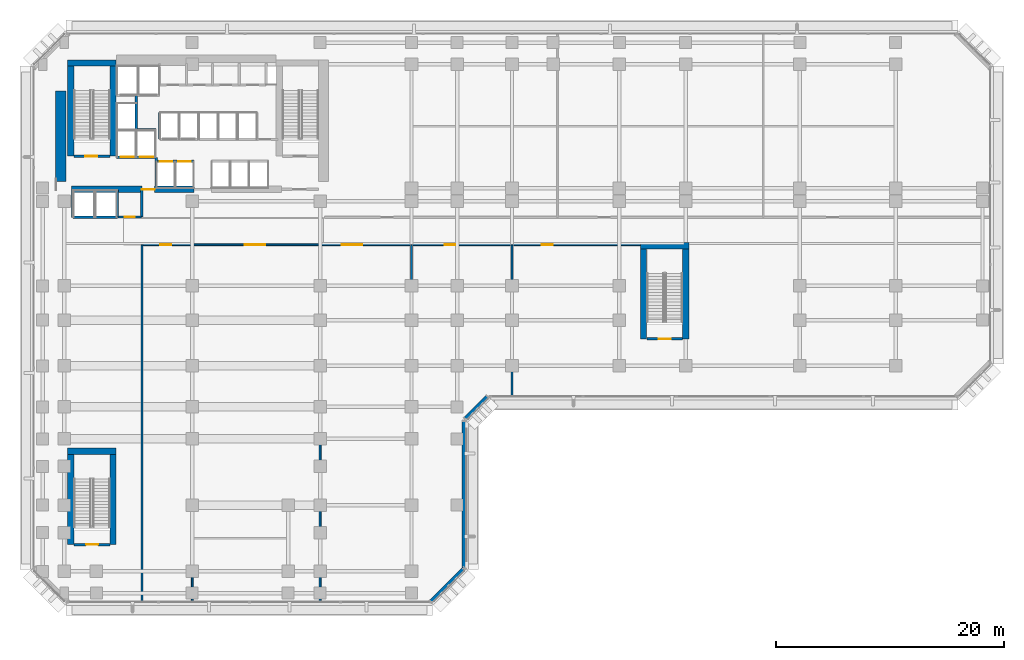
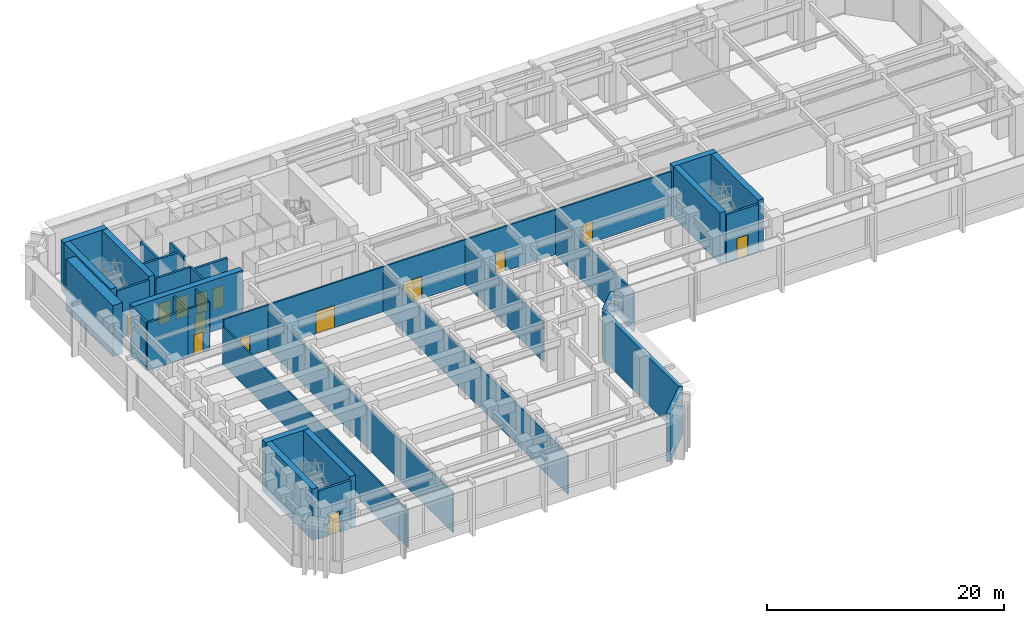
# One storey, part 9 of 20: 34 walls, 14 doors, 14 openings.
"""IFC4 building model written with IfcOpenShell, lengths in metres."""

from ifc_helpers import new_model, si_unit, direction, frame, frame_2d, origin, place, context, subcontext, project, spatial, rectangle, extrude, material, layer, layer_set, type_object, element, fill, save


model = new_model("IFC4")

# Units and contexts
model_context = context("Model", 3, precision=1e-05, world=origin(), true_north=direction((0.0, 1.0)))
body_context = subcontext(model_context, "Body", "Model", "MODEL_VIEW")
ifc_project = project(units=[si_unit("LENGTHUNIT", "METRE"), si_unit("AREAUNIT", "SQUARE_METRE"), si_unit("VOLUMEUNIT", "CUBIC_METRE"), si_unit("PLANEANGLEUNIT", "RADIAN"), si_unit("MASSUNIT", "GRAM", prefix="KILO")], contexts=[model_context])

# Site, building, storey
site_placement = place(None, origin())
site = spatial("IfcSite", under=ifc_project, at=site_placement, CompositionType="ELEMENT")
building_placement = place(site_placement, origin())
building = spatial("IfcBuilding", under=site, at=building_placement, Name="Kefirva Bronze Tower", CompositionType="ELEMENT")
storey_placement = place(building_placement, frame((0.0, 0.0, 5.93994140625)))
storey = spatial("IfcBuildingStorey", under=building, at=storey_placement, Name="L01", CompositionType="ELEMENT", Elevation=5.93994140625)

# Wall, opening, door
ifc_material_1 = material(Name="Gypsum fireboard shaftwall")
ifc_layer_1 = layer(ifc_material_1, 0.219970703125, Name="Gypsum fireboard shaftwall")
ifc_layer_set_1 = layer_set([ifc_layer_1], Name="Gypsum fireboard shaftwall")
wall_type_1 = type_object("IfcWallType", Name="Fire-Rated Shaft Enclosure Wall 220mm", PredefinedType="PARTITIONING", material=ifc_layer_set_1)
wall_1_placement = place(storey_placement, frame((1.64990234375, 37.14990234375, 0.0), z_axis=(0.0, 0.0, 1.0), x_axis=(1.0, 0.0, 0.0)))
wall_1 = element("IfcWall", 1, at=wall_1_placement, inside=storey, type_object=wall_type_1, Name="L01 Partition W-L01-ST1S", PredefinedType="PARTITIONING", context=body_context, shape_type="SweptSolid", body=[
    extrude(rectangle(XDim=3.150146484375, YDim=0.219970703125, at=frame_2d((1.5751953125, 0.0))), origin(), (0.0, 0.0, 1.0), 4.9599609375),
])
opening_1_placement = place(wall_1_placement, frame((2.050048828125, 0.0, 0.0), z_axis=(0.0, 0.0, 1.0), x_axis=(-1.0, 0.0, 0.0)))
opening_1 = element("IfcOpeningElement", 2, at=opening_1_placement, cuts=wall_1, Name="Opening L01-D001", PredefinedType="OPENING", context=body_context, shape_type="SweptSolid", body=[
    extrude(rectangle(XDim=1.050048828125, YDim=2.14990234375, at=frame_2d((0.52490234375, 1.074951171875))), frame((0.0, 0.1201171875, 0.0), z_axis=(0.0, -1.0, 0.0), x_axis=(1.0, 0.0, 0.0)), (0.0, 0.0, 1.0), 0.239990234375),
])
ifc_material_2 = material(Name="Painted galvanized steel", Category="steel")
door_type_1 = type_object("IfcDoorType", Name="Fire Stair Enclosure Door 1050x2150 FD90S", OperationType="NOTDEFINED", PredefinedType="DOOR", material=ifc_material_2)
door_1_placement = place(opening_1_placement, origin())
door_1 = element("IfcDoor", 3, at=door_1_placement, inside=storey, type_object=door_type_1, Name="Door L01-D001", OperationType="SINGLE_SWING_LEFT", OverallHeight=2.14990234375, OverallWidth=1.050048828125, PredefinedType="DOOR", context=body_context, shape_type="SweptSolid", body=[
    extrude(rectangle(XDim=1.050048828125, YDim=2.14990234375, at=frame_2d((0.52490234375, 1.074951171875))), frame((0.0, 0.02490234375, 0.0), z_axis=(0.0, -1.0, 0.0), x_axis=(1.0, 0.0, 0.0)), (0.0, 0.0, 1.0), 0.050048828125),
])
fill(opening_1, door_1)

# Wall, openings, doors
wall_2_placement = place(storey_placement, frame((5.3798828125, 37.080078125, 0.0), z_axis=(0.0, 0.0, 1.0), x_axis=(1.0, 0.0, 0.0)))
wall_2 = element("IfcWall", 4, at=wall_2_placement, inside=storey, type_object=wall_type_1, Name="L01 Partition W-L01-FFS", PredefinedType="PARTITIONING", context=body_context, shape_type="SweptSolid", body=[
    extrude(rectangle(XDim=3.460205078125, YDim=0.219970703125, at=frame_2d((1.72998046875, 0.0))), origin(), (0.0, 0.0, 1.0), 4.9599609375),
])
opening_2_placement = place(wall_2_placement, frame((1.550048828125, 0.0, 0.0), z_axis=(0.0, 0.0, 1.0), x_axis=(-1.0, 0.0, 0.0)))
opening_2 = element("IfcOpeningElement", 5, at=opening_2_placement, cuts=wall_2, Name="Opening L01-LD-FF1", PredefinedType="OPENING", context=body_context, shape_type="SweptSolid", body=[
    extrude(rectangle(XDim=1.199951171875, YDim=2.199951171875, at=frame_2d((0.60009765625, 1.10009765625))), frame((0.0, 0.1201171875, 0.0), z_axis=(0.0, -1.0, 0.0), x_axis=(1.0, 0.0, 0.0)), (0.0, 0.0, 1.0), 0.239990234375),
])
opening_3_placement = place(wall_2_placement, frame((3.219970703125, 0.0, 0.0), z_axis=(0.0, 0.0, 1.0), x_axis=(-1.0, 0.0, 0.0)))
opening_3 = element("IfcOpeningElement", 6, at=opening_3_placement, cuts=wall_2, Name="Opening L01-LD-FF2", PredefinedType="OPENING", context=body_context, shape_type="SweptSolid", body=[
    extrude(rectangle(XDim=1.199951171875, YDim=2.199951171875, at=frame_2d((0.60009765625, 1.10009765625))), frame((0.0, 0.1201171875, 0.0), z_axis=(0.0, -1.0, 0.0), x_axis=(1.0, 0.0, 0.0)), (0.0, 0.0, 1.0), 0.239990234375),
])
ifc_material_3 = material(Name="Stainless steel 316", Category="steel")
door_type_2 = type_object("IfcDoorType", Name="Firefighting Lift Sliding Door 1200x2200", OperationType="SLIDING_TO_RIGHT", PredefinedType="DOOR", material=ifc_material_3)
door_2_placement = place(opening_2_placement, origin())
door_2 = element("IfcDoor", 7, at=door_2_placement, inside=storey, type_object=door_type_2, Name="Door L01-LD-FF1", OperationType="SLIDING_TO_RIGHT", OverallHeight=2.199951171875, OverallWidth=1.199951171875, PredefinedType="DOOR", context=body_context, shape_type="SweptSolid", body=[
    extrude(rectangle(XDim=1.199951171875, YDim=2.199951171875, at=frame_2d((0.60009765625, 1.10009765625))), frame((0.0, 0.02490234375, 0.0), z_axis=(0.0, -1.0, 0.0), x_axis=(1.0, 0.0, 0.0)), (0.0, 0.0, 1.0), 0.050048828125),
])
fill(opening_2, door_2)
door_3_placement = place(opening_3_placement, origin())
door_3 = element("IfcDoor", 8, at=door_3_placement, inside=storey, type_object=door_type_2, Name="Door L01-LD-FF2", OperationType="SLIDING_TO_RIGHT", OverallHeight=2.199951171875, OverallWidth=1.199951171875, PredefinedType="DOOR", context=body_context, shape_type="SweptSolid", body=[
    extrude(rectangle(XDim=1.199951171875, YDim=2.199951171875, at=frame_2d((0.60009765625, 1.10009765625))), frame((0.0, 0.02490234375, 0.0), z_axis=(0.0, -1.0, 0.0), x_axis=(1.0, 0.0, 0.0)), (0.0, 0.0, 1.0), 0.050048828125),
])
fill(opening_3, door_3)

# Walls
wall_3_placement = place(storey_placement, frame((5.3798828125, 39.449951171875, 0.0), z_axis=(0.0, 0.0, 1.0), x_axis=(1.0, 0.0, 0.0)))
element("IfcWall", 9, at=wall_3_placement, inside=storey, type_object=wall_type_1, Name="L01 Partition W-L01-FFN", PredefinedType="PARTITIONING", context=body_context, shape_type="SweptSolid", body=[
    extrude(rectangle(XDim=3.460205078125, YDim=0.219970703125, at=frame_2d((1.72998046875, 0.0))), origin(), (0.0, 0.0, 1.0), 4.9599609375),
])
wall_4_placement = place(storey_placement, frame((7.10009765625, 39.52001953125, 0.0), z_axis=(0.0, 0.0, 1.0), x_axis=(0.0, 1.0, 0.0)))
element("IfcWall", 10, at=wall_4_placement, inside=storey, type_object=wall_type_1, Name="L01 Partition W-L01-HP3E", PredefinedType="PARTITIONING", context=body_context, shape_type="SweptSolid", body=[
    extrude(rectangle(XDim=2.929931640625, YDim=0.219970703125, at=frame_2d((1.46484375, 0.0))), origin(), (0.0, 0.0, 1.0), 4.9599609375),
])
wall_5_placement = place(storey_placement, frame((1.550048828125, 31.800048828125, 0.0), z_axis=(0.0, 0.0, 1.0), x_axis=(1.0, 0.0, 0.0)))
element("IfcWall", 11, at=wall_5_placement, inside=storey, type_object=wall_type_1, Name="L01 Partition W-L01-OBS", PredefinedType="PARTITIONING", context=body_context, shape_type="SweptSolid", body=[
    extrude(rectangle(XDim=3.89990234375, YDim=0.219970703125, at=frame_2d((1.949951171875, 0.0))), origin(), (0.0, 0.0, 1.0), 4.9599609375),
])
for number, where, z_axis, x_axis, name in (
    (12, (1.550048828125, 31.800048828125, 0.0), (0.0, 0.0, 1.0), (0.0, 1.0, 0.0), "L01 Partition W-L01-OBW"),
    (13, (5.449951171875, 31.800048828125, 0.0), (0.0, 0.0, 1.0), (0.0, 1.0, 0.0), "L01 Partition W-L01-OBE"),
):
    element("IfcWall", number, at=place(storey_placement, frame(where, z_axis=z_axis, x_axis=x_axis)), inside=storey, type_object=wall_type_1, Name=name, PredefinedType="PARTITIONING", context=body_context, shape_type="SweptSolid", body=[
        extrude(rectangle(XDim=2.3798828125, YDim=0.219970703125, at=frame_2d((1.18994140625, 0.0))), origin(), (0.0, 0.0, 1.0), 4.9599609375),
    ])
wall_6_placement = place(storey_placement, frame((9.159912109375, 38.64990234375, 0.0), z_axis=(0.0, 0.0, 1.0), x_axis=(0.0, 1.0, 0.0)))
element("IfcWall", 14, at=wall_6_placement, inside=storey, type_object=wall_type_1, Name="L01 Partition W-L01-LP3W", PredefinedType="PARTITIONING", context=body_context, shape_type="SweptSolid", body=[
    extrude(rectangle(XDim=2.35009765625, YDim=0.199951171875, at=frame_2d((1.175048828125, 0.0))), origin(), (0.0, 0.0, 1.0), 4.9599609375),
])

# Wall, openings, doors
wall_7_placement = place(storey_placement, frame((8.89990234375, 36.699951171875, 0.0), z_axis=(0.0, 0.0, 1.0), x_axis=(1.0, 0.0, 0.0)))
wall_7 = element("IfcWall", 15, at=wall_7_placement, inside=storey, type_object=wall_type_1, Name="L01 Partition W-L01-LPS", PredefinedType="PARTITIONING", context=body_context, shape_type="SweptSolid", body=[
    extrude(rectangle(XDim=3.260009765625, YDim=0.219970703125, at=frame_2d((1.6298828125, 0.0))), origin(), (0.0, 0.0, 1.0), 4.9599609375),
])
opening_4_placement = place(wall_7_placement, frame((0.260009765625, 0.0, 0.0)))
opening_4 = element("IfcOpeningElement", 16, at=opening_4_placement, cuts=wall_7, Name="Opening L01-LD-LP1", PredefinedType="OPENING", context=body_context, shape_type="SweptSolid", body=[
    extrude(rectangle(XDim=1.10009765625, YDim=2.199951171875, at=frame_2d((0.550048828125, 1.10009765625))), frame((0.0, 0.1201171875, 0.0), z_axis=(0.0, -1.0, 0.0), x_axis=(1.0, 0.0, 0.0)), (0.0, 0.0, 1.0), 0.239990234375),
])
opening_5_placement = place(wall_7_placement, frame((1.8798828125, 0.0, 0.0)))
opening_5 = element("IfcOpeningElement", 17, at=opening_5_placement, cuts=wall_7, Name="Opening L01-LD-LP2", PredefinedType="OPENING", context=body_context, shape_type="SweptSolid", body=[
    extrude(rectangle(XDim=1.10009765625, YDim=2.199951171875, at=frame_2d((0.550048828125, 1.10009765625))), frame((0.0, 0.1201171875, 0.0), z_axis=(0.0, -1.0, 0.0), x_axis=(1.0, 0.0, 0.0)), (0.0, 0.0, 1.0), 0.239990234375),
])
door_type_3 = type_object("IfcDoorType", Name="Passenger Lift Sliding Landing Door 1100x2200", OperationType="SLIDING_TO_LEFT", PredefinedType="DOOR", material=ifc_material_3)
door_4_placement = place(opening_4_placement, origin())
door_4 = element("IfcDoor", 18, at=door_4_placement, inside=storey, type_object=door_type_3, Name="Door L01-LD-LP1", OperationType="SLIDING_TO_LEFT", OverallHeight=2.199951171875, OverallWidth=1.10009765625, PredefinedType="DOOR", context=body_context, shape_type="SweptSolid", body=[
    extrude(rectangle(XDim=1.10009765625, YDim=2.199951171875, at=frame_2d((0.550048828125, 1.10009765625))), frame((0.0, 0.02490234375, 0.0), z_axis=(0.0, -1.0, 0.0), x_axis=(1.0, 0.0, 0.0)), (0.0, 0.0, 1.0), 0.050048828125),
])
fill(opening_4, door_4)
door_5_placement = place(opening_5_placement, origin())
door_5 = element("IfcDoor", 19, at=door_5_placement, inside=storey, type_object=door_type_3, Name="Door L01-LD-LP2", OperationType="SLIDING_TO_LEFT", OverallHeight=2.199951171875, OverallWidth=1.10009765625, PredefinedType="DOOR", context=body_context, shape_type="SweptSolid", body=[
    extrude(rectangle(XDim=1.10009765625, YDim=2.199951171875, at=frame_2d((0.550048828125, 1.10009765625))), frame((0.0, 0.02490234375, 0.0), z_axis=(0.0, -1.0, 0.0), x_axis=(1.0, 0.0, 0.0)), (0.0, 0.0, 1.0), 0.050048828125),
])
fill(opening_5, door_5)

# Wall, opening, door
wall_8_placement = place(storey_placement, frame((1.64990234375, 3.14990234375, 0.0), z_axis=(0.0, 0.0, 1.0), x_axis=(1.0, 0.0, 0.0)))
wall_8 = element("IfcWall", 20, at=wall_8_placement, inside=storey, type_object=wall_type_1, Name="L01 Partition W-L01-ST3S", PredefinedType="PARTITIONING", context=body_context, shape_type="SweptSolid", body=[
    extrude(rectangle(XDim=3.150146484375, YDim=0.219970703125, at=frame_2d((1.5751953125, 0.0))), origin(), (0.0, 0.0, 1.0), 4.9599609375),
])
opening_6_placement = place(wall_8_placement, frame((2.10009765625, 0.0, 0.0), z_axis=(0.0, 0.0, 1.0), x_axis=(-1.0, 0.0, 0.0)))
opening_6 = element("IfcOpeningElement", 21, at=opening_6_placement, cuts=wall_8, Name="Opening L01-D-ST3", PredefinedType="OPENING", context=body_context, shape_type="SweptSolid", body=[
    extrude(rectangle(XDim=1.050048828125, YDim=2.14990234375, at=frame_2d((0.52490234375, 1.074951171875))), frame((0.0, 0.1201171875, 0.0), z_axis=(0.0, -1.0, 0.0), x_axis=(1.0, 0.0, 0.0)), (0.0, 0.0, 1.0), 0.239990234375),
])
door_6_placement = place(opening_6_placement, origin())
door_6 = element("IfcDoor", 22, at=door_6_placement, inside=storey, type_object=door_type_1, Name="Door L01-D-ST3", OperationType="SINGLE_SWING_LEFT", OverallHeight=2.14990234375, OverallWidth=1.050048828125, PredefinedType="DOOR", context=body_context, shape_type="SweptSolid", body=[
    extrude(rectangle(XDim=1.050048828125, YDim=2.14990234375, at=frame_2d((0.52490234375, 1.074951171875))), frame((0.0, 0.02490234375, 0.0), z_axis=(0.0, -1.0, 0.0), x_axis=(1.0, 0.0, 0.0)), (0.0, 0.0, 1.0), 0.050048828125),
])
fill(opening_6, door_6)

wall_9_placement = place(storey_placement, frame((51.800048828125, 21.14990234375, 0.0), z_axis=(0.0, 0.0, 1.0), x_axis=(1.0, 0.0, 0.0)))
wall_9 = element("IfcWall", 23, at=wall_9_placement, inside=storey, type_object=wall_type_1, Name="L01 Partition W-L01-ST4S", PredefinedType="PARTITIONING", context=body_context, shape_type="SweptSolid", body=[
    extrude(rectangle(XDim=3.14990234375, YDim=0.219970703125, at=frame_2d((1.574951171875, 0.0))), origin(), (0.0, 0.0, 1.0), 4.9599609375),
])
opening_7_placement = place(wall_9_placement, frame((2.10009765625, 0.0, 0.0), z_axis=(0.0, 0.0, 1.0), x_axis=(-1.0, 0.0, 0.0)))
opening_7 = element("IfcOpeningElement", 24, at=opening_7_placement, cuts=wall_9, Name="Opening L01-D-ST4", PredefinedType="OPENING", context=body_context, shape_type="SweptSolid", body=[
    extrude(rectangle(XDim=1.050048828125, YDim=2.14990234375, at=frame_2d((0.52490234375, 1.074951171875))), frame((0.0, 0.1201171875, 0.0), z_axis=(0.0, -1.0, 0.0), x_axis=(1.0, 0.0, 0.0)), (0.0, 0.0, 1.0), 0.239990234375),
])
door_7_placement = place(opening_7_placement, origin())
door_7 = element("IfcDoor", 25, at=door_7_placement, inside=storey, type_object=door_type_1, Name="Door L01-D-ST4", OperationType="SINGLE_SWING_RIGHT", OverallHeight=2.14990234375, OverallWidth=1.050048828125, PredefinedType="DOOR", context=body_context, shape_type="SweptSolid", body=[
    extrude(rectangle(XDim=1.050048828125, YDim=2.14990234375, at=frame_2d((0.52490234375, 1.074951171875))), frame((0.0, 0.02490234375, 0.0), z_axis=(0.0, -1.0, 0.0), x_axis=(1.0, 0.0, 0.0)), (0.0, 0.0, 1.0), 0.050048828125),
])
fill(opening_7, door_7)

# Walls
ifc_material_4 = material(Name="Gypsum fireboard barrier")
ifc_layer_2 = layer(ifc_material_4, 0.199951171875, Name="Gypsum fireboard barrier")
ifc_layer_set_2 = layer_set([ifc_layer_2], Name="Gypsum fireboard barrier")
wall_type_2 = type_object("IfcWallType", Name="Firefighting Lobby Barrier Wall 200mm", PredefinedType="PARTITIONING", material=ifc_layer_set_2)
wall_10_placement = place(storey_placement, frame((8.860107421875, 34.550048828125, 0.0), z_axis=(0.0, 0.0, 1.0), x_axis=(0.0, 1.0, 0.0)))
element("IfcWall", 26, at=wall_10_placement, inside=storey, type_object=wall_type_2, Name="L01 Partition W-L01-FFLE", PredefinedType="PARTITIONING", context=body_context, shape_type="SweptSolid", body=[
    extrude(rectangle(XDim=2.5, YDim=0.199951171875, at=frame_2d((1.25, 0.0))), origin(), (0.0, 0.0, 1.0), 4.9599609375),
])
ifc_material_5 = material(Name="Precast concrete C40/50", Category="concrete")
ifc_layer_3 = layer(ifc_material_5, 0.360107421875, Name="Precast concrete C40/50")
ifc_layer_set_3 = layer_set([ifc_layer_3], Name="Precast concrete C40/50")
wall_type_3 = type_object("IfcWallType", Name="Precast Podium Facade Wall 360mm", PredefinedType="SOLIDWALL", material=ifc_layer_set_3)
wall_11_placement = place(storey_placement, frame((32.91162109375, -1.833740234375, 0.0), z_axis=(0.0, 0.0, 1.0), x_axis=(0.707106781187, 0.707106781187, 0.0)))
element("IfcWall", 27, at=wall_11_placement, inside=storey, type_object=wall_type_3, Name="L01 Exterior Facade Wall 1", PredefinedType="SOLIDWALL", context=body_context, shape_type="SweptSolid", body=[
    extrude(rectangle(XDim=4.132568359375, YDim=0.360107421875, at=frame_2d((2.06640625, 0.0))), origin(), (0.0, 0.0, 1.0), 4.9599609375),
])
wall_12_placement = place(storey_placement, frame((35.820068359375, 1.054931640625, 0.0), z_axis=(0.0, 0.0, 1.0), x_axis=(0.0, 1.0, 0.0)))
element("IfcWall", 28, at=wall_12_placement, inside=storey, type_object=wall_type_3, Name="L01 Exterior Facade Wall 2", PredefinedType="SOLIDWALL", context=body_context, shape_type="SweptSolid", body=[
    extrude(rectangle(XDim=12.89013671875, YDim=0.360107421875, at=frame_2d((6.445068359375, 0.0))), origin(), (0.0, 0.0, 1.0), 4.9599609375),
])
wall_13_placement = place(storey_placement, frame((35.91162109375, 14.166259765625, 0.0), z_axis=(0.0, 0.0, 1.0), x_axis=(0.707106781187, 0.707106781187, 0.0)))
element("IfcWall", 29, at=wall_13_placement, inside=storey, type_object=wall_type_3, Name="L01 Exterior Facade Wall 3", PredefinedType="SOLIDWALL", context=body_context, shape_type="SweptSolid", body=[
    extrude(rectangle(XDim=2.71826171875, YDim=0.360107421875, at=frame_2d((1.359130859375, 0.0))), origin(), (0.0, 0.0, 1.0), 4.9599609375),
])
ifc_material_6 = material(Name="Gypsum acoustic partition")
ifc_layer_4 = layer(ifc_material_6, 0.159912109375, Name="Gypsum acoustic partition")
ifc_layer_set_4 = layer_set([ifc_layer_4], Name="Gypsum acoustic partition")
wall_type_4 = type_object("IfcWallType", Name="Protected Corridor Partition 160mm", PredefinedType="PARTITIONING", material=ifc_layer_set_4)
wall_14_placement = place(storey_placement, frame((7.60009765625, -1.81005859375, 0.0), z_axis=(0.0, 0.0, 1.0), x_axis=(0.0, 1.0, 0.0)))
element("IfcWall", 30, at=wall_14_placement, inside=storey, type_object=wall_type_4, Name="L01 Partition W-L01-SWCE", PredefinedType="PARTITIONING", context=body_context, shape_type="SweptSolid", body=[
    extrude(rectangle(XDim=31.2099609375, YDim=0.159912109375, at=frame_2d((15.60498046875, 0.0))), origin(), (0.0, 0.0, 1.0), 3.89501953125),
])

# Wall, openings, doors
wall_15_placement = place(storey_placement, frame((7.60009765625, 29.39990234375, 0.0), z_axis=(0.0, 0.0, 1.0), x_axis=(1.0, 0.0, 0.0)))
wall_15 = element("IfcWall", 31, at=wall_15_placement, inside=storey, type_object=wall_type_4, Name="L01 Partition W-L01-S", PredefinedType="PARTITIONING", context=body_context, shape_type="SweptSolid", body=[
    extrude(rectangle(XDim=43.75, YDim=0.159912109375, at=frame_2d((21.875, 0.0))), origin(), (0.0, 0.0, 1.0), 4.614990234375),
])
opening_8_placement = place(wall_15_placement, frame((17.5, 0.0, 0.0)))
opening_8 = element("IfcOpeningElement", 32, at=opening_8_placement, cuts=wall_15, Name="Opening L01-D-01", PredefinedType="OPENING", context=body_context, shape_type="SweptSolid", body=[
    extrude(rectangle(XDim=1.800048828125, YDim=2.300048828125, at=frame_2d((0.89990234375, 1.14990234375))), frame((0.0, 0.08984375, 0.0), z_axis=(0.0, -1.0, 0.0), x_axis=(1.0, 0.0, 0.0)), (0.0, 0.0, 1.0), 0.179931640625),
])
opening_9_placement = place(wall_15_placement, frame((1.60009765625, 0.0, 0.0)))
opening_9 = element("IfcOpeningElement", 33, at=opening_9_placement, cuts=wall_15, Name="Opening L01-D-01W", PredefinedType="OPENING", context=body_context, shape_type="SweptSolid", body=[
    extrude(rectangle(XDim=0.949951171875, YDim=2.14990234375, at=frame_2d((0.47509765625, 1.074951171875))), frame((0.0, 0.08984375, 0.0), z_axis=(0.0, -1.0, 0.0), x_axis=(1.0, 0.0, 0.0)), (0.0, 0.0, 1.0), 0.179931640625),
])
opening_10_placement = place(wall_15_placement, frame((9.0, 0.0, 0.0)))
opening_10 = element("IfcOpeningElement", 34, at=opening_10_placement, cuts=wall_15, Name="Opening L01-D-01P", PredefinedType="OPENING", context=body_context, shape_type="SweptSolid", body=[
    extrude(rectangle(XDim=1.800048828125, YDim=2.300048828125, at=frame_2d((0.89990234375, 1.14990234375))), frame((0.0, 0.08984375, 0.0), z_axis=(0.0, -1.0, 0.0), x_axis=(1.0, 0.0, 0.0)), (0.0, 0.0, 1.0), 0.179931640625),
])
opening_11_placement = place(wall_15_placement, frame((26.5, 0.0, 0.0)))
opening_11 = element("IfcOpeningElement", 35, at=opening_11_placement, cuts=wall_15, Name="Opening L01-D-02", PredefinedType="OPENING", context=body_context, shape_type="SweptSolid", body=[
    extrude(rectangle(XDim=0.949951171875, YDim=2.14990234375, at=frame_2d((0.47509765625, 1.074951171875))), frame((0.0, 0.08984375, 0.0), z_axis=(0.0, -1.0, 0.0), x_axis=(1.0, 0.0, 0.0)), (0.0, 0.0, 1.0), 0.179931640625),
])
opening_12_placement = place(wall_15_placement, frame((35.0, 0.0, 0.0)))
opening_12 = element("IfcOpeningElement", 36, at=opening_12_placement, cuts=wall_15, Name="Opening L01-D-03", PredefinedType="OPENING", context=body_context, shape_type="SweptSolid", body=[
    extrude(rectangle(XDim=0.949951171875, YDim=2.14990234375, at=frame_2d((0.47509765625, 1.074951171875))), frame((0.0, 0.08984375, 0.0), z_axis=(0.0, -1.0, 0.0), x_axis=(1.0, 0.0, 0.0)), (0.0, 0.0, 1.0), 0.179931640625),
])
ifc_material_7 = material(Name="Acoustic hardwood oak", Category="wood")
door_type_4 = type_object("IfcDoorType", Name="Auditorium & Dining Double Door 1800x2300", OperationType="DOUBLE_DOOR_SINGLE_SWING", PredefinedType="DOOR", material=ifc_material_7)
door_8_placement = place(opening_8_placement, origin())
door_8 = element("IfcDoor", 37, at=door_8_placement, inside=storey, type_object=door_type_4, Name="Door L01-D-01", OperationType="SINGLE_SWING_LEFT", OverallHeight=2.300048828125, OverallWidth=1.800048828125, PredefinedType="DOOR", context=body_context, shape_type="SweptSolid", body=[
    extrude(rectangle(XDim=1.800048828125, YDim=2.300048828125, at=frame_2d((0.89990234375, 1.14990234375))), frame((0.0, 0.02490234375, 0.0), z_axis=(0.0, -1.0, 0.0), x_axis=(1.0, 0.0, 0.0)), (0.0, 0.0, 1.0), 0.050048828125),
])
fill(opening_8, door_8)
door_9_placement = place(opening_10_placement, origin())
door_9 = element("IfcDoor", 38, at=door_9_placement, inside=storey, type_object=door_type_4, Name="Door L01-D-01P", OperationType="SINGLE_SWING_LEFT", OverallHeight=2.300048828125, OverallWidth=1.800048828125, PredefinedType="DOOR", context=body_context, shape_type="SweptSolid", body=[
    extrude(rectangle(XDim=1.800048828125, YDim=2.300048828125, at=frame_2d((0.89990234375, 1.14990234375))), frame((0.0, 0.02490234375, 0.0), z_axis=(0.0, -1.0, 0.0), x_axis=(1.0, 0.0, 0.0)), (0.0, 0.0, 1.0), 0.050048828125),
])
fill(opening_10, door_9)
door_type_5 = type_object("IfcDoorType", Name="Office & Meeting Room Door 950x2150", OperationType="NOTDEFINED", PredefinedType="DOOR", material=ifc_material_7)
door_10_placement = place(opening_9_placement, origin())
door_10 = element("IfcDoor", 39, at=door_10_placement, inside=storey, type_object=door_type_5, Name="Door L01-D-01W", OperationType="SINGLE_SWING_RIGHT", OverallHeight=2.14990234375, OverallWidth=0.949951171875, PredefinedType="DOOR", context=body_context, shape_type="SweptSolid", body=[
    extrude(rectangle(XDim=0.949951171875, YDim=2.14990234375, at=frame_2d((0.47509765625, 1.074951171875))), frame((0.0, 0.02490234375, 0.0), z_axis=(0.0, -1.0, 0.0), x_axis=(1.0, 0.0, 0.0)), (0.0, 0.0, 1.0), 0.050048828125),
])
fill(opening_9, door_10)
door_11_placement = place(opening_11_placement, origin())
door_11 = element("IfcDoor", 40, at=door_11_placement, inside=storey, type_object=door_type_5, Name="Door L01-D-02", OperationType="SINGLE_SWING_RIGHT", OverallHeight=2.14990234375, OverallWidth=0.949951171875, PredefinedType="DOOR", context=body_context, shape_type="SweptSolid", body=[
    extrude(rectangle(XDim=0.949951171875, YDim=2.14990234375, at=frame_2d((0.47509765625, 1.074951171875))), frame((0.0, 0.02490234375, 0.0), z_axis=(0.0, -1.0, 0.0), x_axis=(1.0, 0.0, 0.0)), (0.0, 0.0, 1.0), 0.050048828125),
])
fill(opening_11, door_11)
door_12_placement = place(opening_12_placement, origin())
door_12 = element("IfcDoor", 41, at=door_12_placement, inside=storey, type_object=door_type_5, Name="Door L01-D-03", OperationType="SINGLE_SWING_LEFT", OverallHeight=2.14990234375, OverallWidth=0.949951171875, PredefinedType="DOOR", context=body_context, shape_type="SweptSolid", body=[
    extrude(rectangle(XDim=0.949951171875, YDim=2.14990234375, at=frame_2d((0.47509765625, 1.074951171875))), frame((0.0, 0.02490234375, 0.0), z_axis=(0.0, -1.0, 0.0), x_axis=(1.0, 0.0, 0.0)), (0.0, 0.0, 1.0), 0.050048828125),
])
fill(opening_12, door_12)

# Walls
for number, where, z_axis, x_axis, name in (
    (42, (12.0, -1.81005859375, 0.0), (0.0, 0.0, 1.0), (0.0, 1.0, 0.0), "L01 Partition W-L01-DV0"),
    (43, (23.199951171875, -1.81005859375, 0.0), (0.0, 0.0, 1.0), (0.0, 1.0, 0.0), "L01 Partition W-L01-DV1"),
):
    element("IfcWall", number, at=place(storey_placement, frame(where, z_axis=z_axis, x_axis=x_axis)), inside=storey, type_object=wall_type_4, Name=name, PredefinedType="PARTITIONING", context=body_context, shape_type="SweptSolid", body=[
        extrude(rectangle(XDim=31.2099609375, YDim=0.159912109375, at=frame_2d((15.60498046875, 0.0))), origin(), (0.0, 0.0, 1.0), 4.14501953125),
    ])
for number, where, z_axis, x_axis, name in (
    (44, (31.199951171875, 16.18994140625, 0.0), (0.0, 0.0, 1.0), (0.0, 1.0, 0.0), "L01 Partition W-L01-DV2"),
    (45, (40.0, 16.18994140625, 0.0), (0.0, 0.0, 1.0), (0.0, 1.0, 0.0), "L01 Partition W-L01-DV3"),
):
    element("IfcWall", number, at=place(storey_placement, frame(where, z_axis=z_axis, x_axis=x_axis)), inside=storey, type_object=wall_type_4, Name=name, PredefinedType="PARTITIONING", context=body_context, shape_type="SweptSolid", body=[
        extrude(rectangle(XDim=13.2099609375, YDim=0.159912109375, at=frame_2d((6.60498046875, 0.0))), origin(), (0.0, 0.0, 1.0), 4.14501953125),
    ])
ifc_material_8 = material(Name="Concrete C50/60", Category="concrete")
ifc_layer_5 = layer(ifc_material_8, 0.550048828125, Name="Concrete C50/60")
ifc_layer_set_5 = layer_set([ifc_layer_5], Name="Concrete C50/60")
wall_type_5 = type_object("IfcWallType", Name="RC Rear Core Interior Wall 550mm", PredefinedType="SHEAR", material=ifc_layer_set_5)
for number, where, z_axis, x_axis, name in (
    (46, (1.3701171875, 37.14990234375, 0.0), (0.0, 0.0, 1.0), (0.0, 1.0, 0.0), "L01 Stair 1 West Shear Wall"),
    (47, (5.070068359375, 37.14990234375, 0.0), (0.0, 0.0, 1.0), (0.0, 1.0, 0.0), "L01 Stair 1 East Shear Wall"),
):
    element("IfcWall", number, at=place(storey_placement, frame(where, z_axis=z_axis, x_axis=x_axis)), inside=storey, type_object=wall_type_5, Name=name, PredefinedType="SHEAR", context=body_context, shape_type="SweptSolid", body=[
        extrude(rectangle(XDim=7.89013671875, YDim=0.550048828125, at=frame_2d((3.945068359375, 0.0))), origin(), (0.0, 0.0, 1.0), 5.280029296875),
    ])
wall_16_placement = place(storey_placement, frame((1.10009765625, 45.320068359375, 0.0), z_axis=(0.0, 0.0, 1.0), x_axis=(1.0, 0.0, 0.0)))
element("IfcWall", 48, at=wall_16_placement, inside=storey, type_object=wall_type_5, Name="L01 Stair 1 North Shear Wall", PredefinedType="SHEAR", context=body_context, shape_type="SweptSolid", body=[
    extrude(rectangle(XDim=4.239990234375, YDim=0.550048828125, at=frame_2d((2.1201171875, 0.0))), origin(), (0.0, 0.0, 1.0), 5.280029296875),
])
for number, where, z_axis, x_axis, name in (
    (49, (1.3701171875, 3.14990234375, 0.0), (0.0, 0.0, 1.0), (0.0, 1.0, 0.0), "L01 Stair 3 West Shear Wall"),
    (50, (5.070068359375, 3.14990234375, 0.0), (0.0, 0.0, 1.0), (0.0, 1.0, 0.0), "L01 Stair 3 East Shear Wall"),
):
    element("IfcWall", number, at=place(storey_placement, frame(where, z_axis=z_axis, x_axis=x_axis)), inside=storey, type_object=wall_type_5, Name=name, PredefinedType="SHEAR", context=body_context, shape_type="SweptSolid", body=[
        extrude(rectangle(XDim=7.89013671875, YDim=0.550048828125, at=frame_2d((3.945068359375, 0.0))), origin(), (0.0, 0.0, 1.0), 5.280029296875),
    ])
wall_17_placement = place(storey_placement, frame((1.10009765625, 11.320068359375, 0.0), z_axis=(0.0, 0.0, 1.0), x_axis=(1.0, 0.0, 0.0)))
element("IfcWall", 51, at=wall_17_placement, inside=storey, type_object=wall_type_5, Name="L01 Stair 3 North Shear Wall", PredefinedType="SHEAR", context=body_context, shape_type="SweptSolid", body=[
    extrude(rectangle(XDim=4.239990234375, YDim=0.550048828125, at=frame_2d((2.1201171875, 0.0))), origin(), (0.0, 0.0, 1.0), 5.280029296875),
])
for number, where, z_axis, x_axis, name in (
    (52, (51.52001953125, 21.14990234375, 0.0), (0.0, 0.0, 1.0), (0.0, 1.0, 0.0), "L01 Stair 4 West Shear Wall"),
    (53, (55.219970703125, 21.14990234375, 0.0), (0.0, 0.0, 1.0), (0.0, 1.0, 0.0), "L01 Stair 4 East Shear Wall"),
):
    element("IfcWall", number, at=place(storey_placement, frame(where, z_axis=z_axis, x_axis=x_axis)), inside=storey, type_object=wall_type_5, Name=name, PredefinedType="SHEAR", context=body_context, shape_type="SweptSolid", body=[
        extrude(rectangle(XDim=7.89013671875, YDim=0.550048828125, at=frame_2d((3.945068359375, 0.0))), origin(), (0.0, 0.0, 1.0), 5.280029296875),
    ])
wall_18_placement = place(storey_placement, frame((51.25, 29.320068359375, 0.0), z_axis=(0.0, 0.0, 1.0), x_axis=(1.0, 0.0, 0.0)))
element("IfcWall", 54, at=wall_18_placement, inside=storey, type_object=wall_type_5, Name="L01 Stair 4 North Shear Wall", PredefinedType="SHEAR", context=body_context, shape_type="SweptSolid", body=[
    extrude(rectangle(XDim=4.239990234375, YDim=0.550048828125, at=frame_2d((2.1201171875, 0.0))), origin(), (0.0, 0.0, 1.0), 5.280029296875),
])
ifc_material_9 = material(Name="Concrete C60/75", Category="concrete")
ifc_layer_6 = layer(ifc_material_9, 0.89990234375, Name="Concrete C60/75")
ifc_layer_set_6 = layer_set([ifc_layer_6], Name="Concrete C60/75")
wall_type_6 = type_object("IfcWallType", Name="RC Rear Core Interior Wall 900mm", PredefinedType="SHEAR", material=ifc_layer_set_6)
wall_19_placement = place(storey_placement, frame((0.5, 34.949951171875, 0.0), z_axis=(0.0, 0.0, 1.0), x_axis=(0.0, 1.0, 0.0)))
element("IfcWall", 55, at=wall_19_placement, inside=storey, type_object=wall_type_6, Name="L01 Rear Core West Shear Wall", PredefinedType="SHEAR", context=body_context, shape_type="SweptSolid", body=[
    extrude(rectangle(XDim=7.900146484375, YDim=0.89990234375, at=frame_2d((3.9501953125, 0.0))), origin(), (0.0, 0.0, 1.0), 5.280029296875),
])

# Wall, opening, door
wall_20_placement = place(storey_placement, frame((1.449951171875, 34.25, 0.0), z_axis=(0.0, 0.0, 1.0), x_axis=(1.0, 0.0, 0.0)))
wall_20 = element("IfcWall", 56, at=wall_20_placement, inside=storey, type_object=wall_type_6, Name="L01 Rear Core South-West Shear Wall", PredefinedType="SHEAR", context=body_context, shape_type="SweptSolid", body=[
    extrude(rectangle(XDim=10.7099609375, YDim=0.550048828125, at=frame_2d((5.35498046875, 0.0))), origin(), (0.0, 0.0, 1.0), 5.280029296875),
])
opening_13_placement = place(wall_20_placement, frame((7.25, 0.0, 0.0), z_axis=(0.0, 0.0, 1.0), x_axis=(-1.0, 0.0, 0.0)))
opening_13 = element("IfcOpeningElement", 57, at=opening_13_placement, cuts=wall_20, Name="Opening L01-D002", PredefinedType="OPENING", context=body_context, shape_type="SweptSolid", body=[
    extrude(rectangle(XDim=1.10009765625, YDim=2.14990234375, at=frame_2d((0.550048828125, 1.074951171875))), frame((0.0, 0.28515625, 0.0), z_axis=(0.0, -1.0, 0.0), x_axis=(1.0, 0.0, 0.0)), (0.0, 0.0, 1.0), 0.570068359375),
])
door_type_6 = type_object("IfcDoorType", Name="Firefighting Lobby Smoke Door 1100x2150 FD60S", OperationType="NOTDEFINED", PredefinedType="DOOR", material=ifc_material_2)
door_13_placement = place(opening_13_placement, origin())
door_13 = element("IfcDoor", 58, at=door_13_placement, inside=storey, type_object=door_type_6, Name="Door L01-D002", OperationType="SINGLE_SWING_RIGHT", OverallHeight=2.14990234375, OverallWidth=1.10009765625, PredefinedType="DOOR", context=body_context, shape_type="SweptSolid", body=[
    extrude(rectangle(XDim=1.10009765625, YDim=2.14990234375, at=frame_2d((0.550048828125, 1.074951171875))), frame((0.0, 0.02490234375, 0.0), z_axis=(0.0, -1.0, 0.0), x_axis=(1.0, 0.0, 0.0)), (0.0, 0.0, 1.0), 0.050048828125),
])
fill(opening_13, door_13)

ifc_material_10 = material(Name="Moisture-resistant partition")
ifc_layer_7 = layer(ifc_material_10, 0.179931640625, Name="Moisture-resistant partition")
ifc_layer_set_7 = layer_set([ifc_layer_7], Name="Moisture-resistant partition")
wall_type_7 = type_object("IfcWallType", Name="Sanitary Plumbing Chase Wall 180mm", PredefinedType="PLUMBINGWALL", material=ifc_layer_set_7)
wall_21_placement = place(storey_placement, frame((5.5, 31.820068359375, 0.0), z_axis=(0.0, 0.0, 1.0), x_axis=(1.0, 0.0, 0.0)))
wall_21 = element("IfcWall", 59, at=wall_21_placement, inside=storey, type_object=wall_type_7, Name="L01 Partition W-L01-TCS", PredefinedType="PLUMBINGWALL", context=body_context, shape_type="SweptSolid", body=[
    extrude(rectangle(XDim=2.080078125, YDim=0.179931640625, at=frame_2d((1.0400390625, 0.0))), origin(), (0.0, 0.0, 1.0), 4.9599609375),
])
opening_14_placement = place(wall_21_placement, frame((1.47998046875, 0.0, 0.0), z_axis=(0.0, 0.0, 1.0), x_axis=(-1.0, 0.0, 0.0)))
opening_14 = element("IfcOpeningElement", 60, at=opening_14_placement, cuts=wall_21, Name="Opening L01-D-TCL1", PredefinedType="OPENING", context=body_context, shape_type="SweptSolid", body=[
    extrude(rectangle(XDim=0.89990234375, YDim=2.10009765625, at=frame_2d((0.449951171875, 1.050048828125))), frame((0.0, 0.10009765625, 0.0), z_axis=(0.0, -1.0, 0.0), x_axis=(1.0, 0.0, 0.0)), (0.0, 0.0, 1.0), 0.199951171875),
])
door_type_7 = type_object("IfcDoorType", Name="Telecom & Meter Fire Door 900x2100 FD60S", OperationType="NOTDEFINED", PredefinedType="DOOR", material=ifc_material_2)
door_14_placement = place(opening_14_placement, origin())
door_14 = element("IfcDoor", 61, at=door_14_placement, inside=storey, type_object=door_type_7, Name="Door L01-D-TCL1", OperationType="SINGLE_SWING_RIGHT", OverallHeight=2.10009765625, OverallWidth=0.89990234375, PredefinedType="DOOR", context=body_context, shape_type="SweptSolid", body=[
    extrude(rectangle(XDim=0.89990234375, YDim=2.10009765625, at=frame_2d((0.449951171875, 1.050048828125))), frame((0.0, 0.02490234375, 0.0), z_axis=(0.0, -1.0, 0.0), x_axis=(1.0, 0.0, 0.0)), (0.0, 0.0, 1.0), 0.050048828125),
])
fill(opening_14, door_14)

# Wall
wall_22_placement = place(storey_placement, frame((7.580078125, 31.820068359375, 0.0), z_axis=(0.0, 0.0, 1.0), x_axis=(0.0, 1.0, 0.0)))
element("IfcWall", 62, at=wall_22_placement, inside=storey, type_object=wall_type_7, Name="L01 Partition W-L01-TCE", PredefinedType="PLUMBINGWALL", context=body_context, shape_type="SweptSolid", body=[
    extrude(rectangle(XDim=2.35986328125, YDim=0.179931640625, at=frame_2d((1.179931640625, 0.0))), origin(), (0.0, 0.0, 1.0), 4.9599609375),
])

save(model, "model.ifc")
